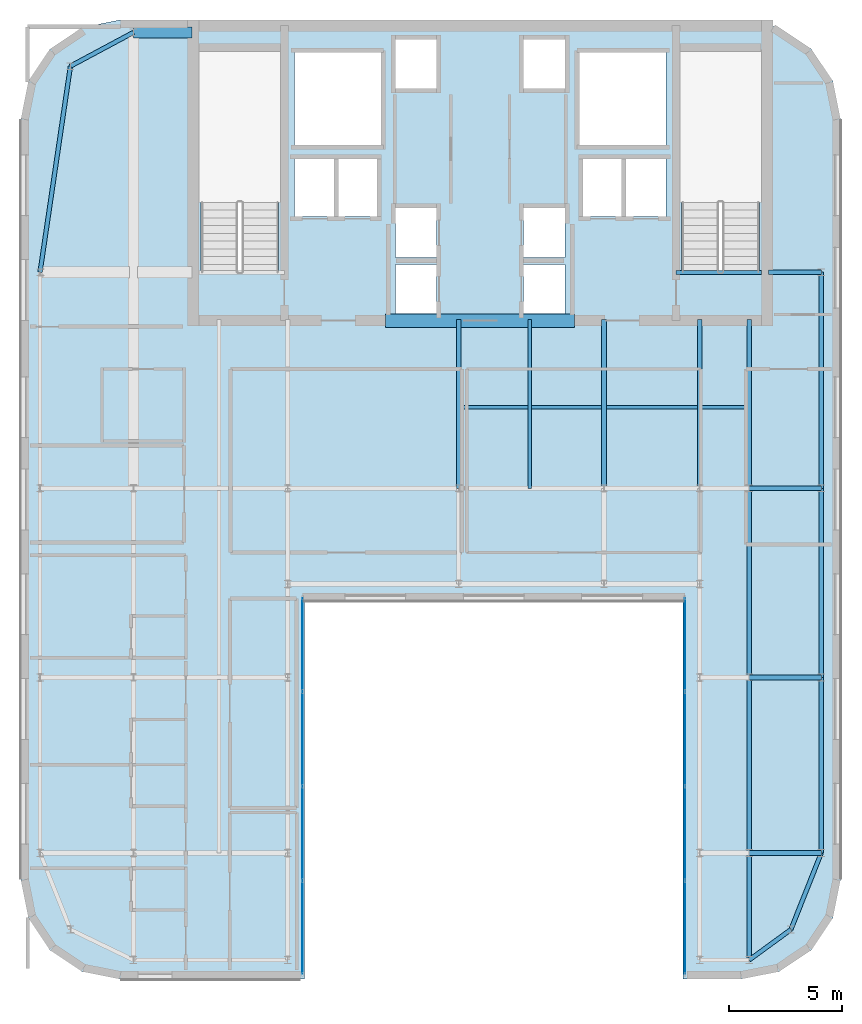
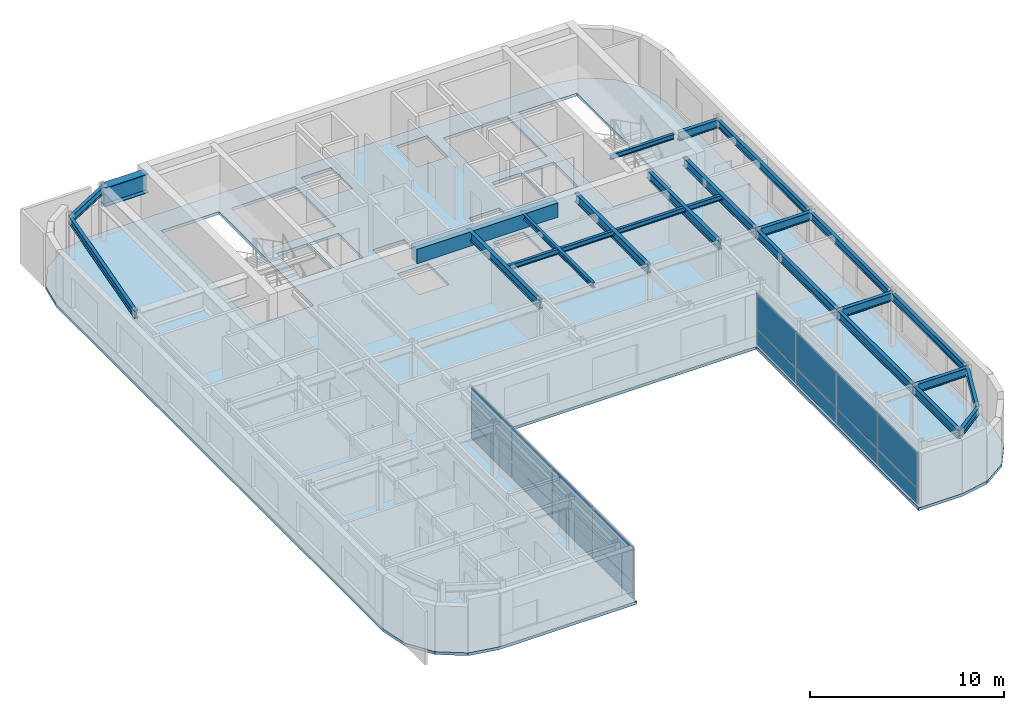
# One storey, part 12 of 20: 23 beams, 16 plates, 1 slab, 2 elements without a shape of their own.
"""IFC4 building model written with IfcOpenShell, lengths in metres."""

from ifc_helpers import new_model, si_unit, direction, frame, origin, origin_2d, place, context, subcontext, project, spatial, polyline, rectangle, i_section, outline, extrude, source, transform, mapped, material, layer, layer_set, material_profile, profile_set, type_object, type_shapes, element, aggregate, save


model = new_model("IFC4")

# Units and contexts
model_context = context("Model", 3, precision=1e-05, world=origin(), true_north=direction((0.0, 1.0)))
body_context = subcontext(model_context, "Body", "Model", "MODEL_VIEW")
ifc_project = project(units=[si_unit("LENGTHUNIT", "METRE"), si_unit("AREAUNIT", "SQUARE_METRE"), si_unit("VOLUMEUNIT", "CUBIC_METRE"), si_unit("PLANEANGLEUNIT", "RADIAN"), si_unit("MASSUNIT", "GRAM", prefix="KILO")], contexts=[model_context])

# Site, building, storey
site_placement = place(None, origin())
site = spatial("IfcSite", under=ifc_project, at=site_placement, CompositionType="ELEMENT")
building_placement = place(site_placement, origin())
building = spatial("IfcBuilding", under=site, at=building_placement, Name="Tolvann Quenvar Hotel", CompositionType="ELEMENT")
storey_placement = place(building_placement, frame((0.0, 0.0, 248.75)))
storey = spatial("IfcBuildingStorey", under=building, at=storey_placement, Name="L66", CompositionType="ELEMENT", Elevation=248.75)

# Beams
ifc_material_1 = material(Name="Concrete N50 (50 MPa)", Category="concrete")
ifc_material_profile_1 = material_profile(ifc_material_1, rectangle(XDim=0.60009765625, YDim=0.89990234375, at=origin_2d()), Name="RC600x900")
ifc_profile_set_1 = profile_set([ifc_material_profile_1], Name="Concrete N50 (50 MPa)")
beam_type_1 = type_object("IfcBeamType", Name="BM_LINT_RC600x900", PredefinedType="LINTEL", material=ifc_profile_set_1)
shared_shape_1 = source(origin(), body_context, "Body", "SweptSolid", [
    extrude(rectangle(XDim=0.60009765625, YDim=0.89990234375, at=origin_2d()), origin(), (0.0, 0.0, 1.0), 8.39990234375),
])
type_shapes(beam_type_1, [shared_shape_1])
beam_1_placement = place(storey_placement, frame((18.800048828125, 31.85009765625, 2.919921875), z_axis=(1.0, 0.0, 0.0), x_axis=(0.0, 1.0, 0.0)))
element("IfcBeam", 1, at=beam_1_placement, inside=storey, type_object=beam_type_1, Name="Core Coupling Lintel Beam (L66)", PredefinedType="LINTEL", context=body_context, shape_type="MappedRepresentation", body=[
    mapped(shared_shape_1, transform((0.0, 0.0, 0.0), x_axis=(1.0, 0.0, 0.0), y_axis=(0.0, 1.0, 0.0), z_axis=(0.0, 0.0, 1.0), scale=1.0)),
])
ifc_material_2 = material(Name="Steel Grade 350", Category="steel")
ifc_material_profile_2 = material_profile(ifc_material_2, i_section(OverallWidth=0.208984375, OverallDepth=0.532958984375, WebThickness=0.01025390625, FlangeThickness=0.015625, FilletRadius=0.013916015625, at=origin_2d()), Name="530UB92")
ifc_profile_set_2 = profile_set([ifc_material_profile_2], Name="Steel Grade 350")
beam_type_2 = type_object("IfcBeamType", Name="BM_GIRD_530UB92", PredefinedType="BEAM", material=ifc_profile_set_2)
shared_shape_2 = source(origin(), body_context, "Body", "SweptSolid", [
    extrude(i_section(OverallWidth=0.208984375, OverallDepth=0.532958984375, WebThickness=0.01025390625, FlangeThickness=0.015625, FilletRadius=0.013916015625, at=origin_2d()), origin(), (0.0, 0.0, 1.0), 7.800048828125),
])
beam_2_placement = place(storey_placement, frame((34.949951171875, 8.199951171875, 3.103515625), z_axis=(0.0, 1.0, 0.0), x_axis=(-1.0, 0.0, 0.0)))
element("IfcBeam", 2, at=beam_2_placement, inside=storey, type_object=beam_type_2, Name="BM-L66-NS-F3-F4", PredefinedType="BEAM", context=body_context, shape_type="MappedRepresentation", body=[
    mapped(shared_shape_2, transform((0.0, 0.0, 0.0), x_axis=(1.0, 0.0, 0.0), y_axis=(0.0, 1.0, 0.0), z_axis=(0.0, 0.0, 1.0), scale=1.0)),
])
shared_shape_3 = source(origin(), body_context, "Body", "SweptSolid", [
    extrude(i_section(OverallWidth=0.208984375, OverallDepth=0.532958984375, WebThickness=0.01025390625, FlangeThickness=0.015625, FilletRadius=0.013916015625, at=origin_2d()), origin(), (0.0, 0.0, 1.0), 8.39990234375),
])
beam_3_placement = place(storey_placement, frame((34.949951171875, 16.0, 3.103515625), z_axis=(0.0, 1.0, 0.0), x_axis=(-1.0, 0.0, 0.0)))
element("IfcBeam", 3, at=beam_3_placement, inside=storey, type_object=beam_type_2, Name="BM-L66-NS-F4-F5", PredefinedType="BEAM", context=body_context, shape_type="MappedRepresentation", body=[
    mapped(shared_shape_3, transform((0.0, 0.0, 0.0), x_axis=(1.0, 0.0, 0.0), y_axis=(0.0, 1.0, 0.0), z_axis=(0.0, 0.0, 1.0), scale=1.0)),
])
ifc_material_profile_3 = material_profile(ifc_material_2, i_section(OverallWidth=0.5, OverallDepth=1.199951171875, WebThickness=0.01611328125, FlangeThickness=0.0400390625, at=origin_2d()), Name="1200WB455")
ifc_profile_set_3 = profile_set([ifc_material_profile_3], Name="Steel Grade 350")
beam_type_3 = type_object("IfcBeamType", Name="BM_TG_1200WB455", PredefinedType="USERDEFINED", material=ifc_profile_set_3)
shared_shape_4 = source(origin(), body_context, "Body", "SweptSolid", [
    extrude(i_section(OverallWidth=0.5, OverallDepth=1.199951171875, WebThickness=0.01611328125, FlangeThickness=0.0400390625, at=origin_2d()), origin(), (0.0, 0.0, 1.0), 2.599853515625),
])
type_shapes(beam_type_3, [shared_shape_4])
beam_4_placement = place(storey_placement, frame((7.60009765625, 44.64990234375, 2.77001953125), z_axis=(1.0, 0.0, 0.0), x_axis=(0.0, 1.0, 0.0)))
element("IfcBeam", 4, at=beam_4_placement, inside=storey, type_object=beam_type_3, Name="BM-L66-CTW-CN", ObjectType="TRANSFER GIRDER", PredefinedType="USERDEFINED", context=body_context, shape_type="MappedRepresentation", body=[
    mapped(shared_shape_4, transform((0.0, 0.0, 0.0), x_axis=(1.0, 0.0, 0.0), y_axis=(0.0, 1.0, 0.0), z_axis=(0.0, 0.0, 1.0), scale=1.0)),
])
ifc_material_profile_4 = material_profile(ifc_material_2, i_section(OverallWidth=0.166015625, OverallDepth=0.306884765625, WebThickness=0.006591796875, FlangeThickness=0.01171875, FilletRadius=0.011474609375, at=origin_2d()), Name="310UB46")
ifc_profile_set_4 = profile_set([ifc_material_profile_4], Name="Steel Grade 350")
beam_type_4 = type_object("IfcBeamType", Name="BM_JOIST_310UB46", PredefinedType="JOIST", material=ifc_profile_set_4)
shared_shape_5 = source(origin(), body_context, "Body", "SweptSolid", [
    extrude(i_section(OverallWidth=0.166015625, OverallDepth=0.306884765625, WebThickness=0.006591796875, FlangeThickness=0.01171875, FilletRadius=0.011474609375, at=origin_2d()), origin(), (0.0, 0.0, 1.0), 3.800048828125),
])
beam_5_placement = place(storey_placement, frame((31.699951171875, 33.97998046875, 3.216552734375), z_axis=(1.0, 0.0, 0.0), x_axis=(0.0, 1.0, 0.0)))
element("IfcBeam", 5, at=beam_5_placement, inside=storey, type_object=beam_type_4, Name="BM-HDR-STC2-L67", PredefinedType="JOIST", context=body_context, shape_type="MappedRepresentation", body=[
    mapped(shared_shape_5, transform((0.0, 0.0, 0.0), x_axis=(1.0, 0.0, 0.0), y_axis=(0.0, 1.0, 0.0), z_axis=(0.0, 0.0, 1.0), scale=1.0)),
])
shared_shape_6 = source(origin(), body_context, "Body", "SweptSolid", [
    extrude(i_section(OverallWidth=0.208984375, OverallDepth=0.532958984375, WebThickness=0.01025390625, FlangeThickness=0.015625, FilletRadius=0.013916015625, at=origin_2d()), origin(), (0.0, 0.0, 1.0), 4.75),
])
beam_6_placement = place(storey_placement, frame((34.949951171875, 3.449951171875, 3.103515625), z_axis=(0.0, 1.0, 0.0), x_axis=(-1.0, 0.0, 0.0)))
element("IfcBeam", 6, at=beam_6_placement, inside=storey, type_object=beam_type_2, Name="BM-L66-NS-F2-F3", PredefinedType="BEAM", context=body_context, shape_type="MappedRepresentation", body=[
    mapped(shared_shape_6, transform((0.0, 0.0, 0.0), x_axis=(1.0, 0.0, 0.0), y_axis=(0.0, 1.0, 0.0), z_axis=(0.0, 0.0, 1.0), scale=1.0)),
])
ifc_material_profile_5 = material_profile(ifc_material_2, i_section(OverallWidth=0.19091796875, OverallDepth=0.4599609375, WebThickness=0.010009765625, FlangeThickness=0.01611328125, FilletRadius=0.011474609375, at=origin_2d()), Name="460UB82")
ifc_profile_set_5 = profile_set([ifc_material_profile_5], Name="Steel Grade 350")
beam_type_5 = type_object("IfcBeamType", Name="BM_SPAND_460UB82", PredefinedType="SPANDREL", material=ifc_profile_set_5)
shared_shape_7 = source(origin(), body_context, "Body", "SweptSolid", [
    extrude(i_section(OverallWidth=0.19091796875, OverallDepth=0.4599609375, WebThickness=0.010009765625, FlangeThickness=0.01611328125, FilletRadius=0.011474609375, at=origin_2d()), origin(), (0.0, 0.0, 1.0), 7.800048828125),
])
beam_7_placement = place(storey_placement, frame((38.14990234375, 8.199951171875, 3.139892578125), z_axis=(0.0, 1.0, 0.0), x_axis=(-1.0, 0.0, 0.0)))
element("IfcBeam", 7, at=beam_7_placement, inside=storey, type_object=beam_type_5, Name="BM-L66-NS-G3-G4", PredefinedType="SPANDREL", context=body_context, shape_type="MappedRepresentation", body=[
    mapped(shared_shape_7, transform((0.0, 0.0, 0.0), x_axis=(1.0, 0.0, 0.0), y_axis=(0.0, 1.0, 0.0), z_axis=(0.0, 0.0, 1.0), scale=1.0)),
])
shared_shape_8 = source(origin(), body_context, "Body", "SweptSolid", [
    extrude(i_section(OverallWidth=0.19091796875, OverallDepth=0.4599609375, WebThickness=0.010009765625, FlangeThickness=0.01611328125, FilletRadius=0.011474609375, at=origin_2d()), origin(), (0.0, 0.0, 1.0), 8.39990234375),
])
beam_8_placement = place(storey_placement, frame((38.14990234375, 16.0, 3.139892578125), z_axis=(0.0, 1.0, 0.0), x_axis=(-1.0, 0.0, 0.0)))
element("IfcBeam", 8, at=beam_8_placement, inside=storey, type_object=beam_type_5, Name="BM-L66-NS-G4-G5", PredefinedType="SPANDREL", context=body_context, shape_type="MappedRepresentation", body=[
    mapped(shared_shape_8, transform((0.0, 0.0, 0.0), x_axis=(1.0, 0.0, 0.0), y_axis=(0.0, 1.0, 0.0), z_axis=(0.0, 0.0, 1.0), scale=1.0)),
])
shared_shape_9 = source(origin(), body_context, "Body", "SweptSolid", [
    extrude(i_section(OverallWidth=0.19091796875, OverallDepth=0.4599609375, WebThickness=0.010009765625, FlangeThickness=0.01611328125, FilletRadius=0.011474609375, at=origin_2d()), origin(), (0.0, 0.0, 1.0), 3.657958984375),
])
beam_9_placement = place(storey_placement, frame((36.800048828125, 4.800048828125, 3.139892578125), z_axis=(0.369007513371, 0.929426411867, 0.0), x_axis=(-0.929426411867, 0.369007513371, 0.0)))
element("IfcBeam", 9, at=beam_9_placement, inside=storey, type_object=beam_type_5, Name="BM-L66-NS-G2-G3", PredefinedType="SPANDREL", context=body_context, shape_type="MappedRepresentation", body=[
    mapped(shared_shape_9, transform((0.0, 0.0, 0.0), x_axis=(1.0, 0.0, 0.0), y_axis=(0.0, 1.0, 0.0), z_axis=(0.0, 0.0, 1.0), scale=1.0)),
])
shared_shape_10 = source(origin(), body_context, "Body", "SweptSolid", [
    extrude(i_section(OverallWidth=0.19091796875, OverallDepth=0.4599609375, WebThickness=0.010009765625, FlangeThickness=0.01611328125, FilletRadius=0.011474609375, at=origin_2d()), origin(), (0.0, 0.0, 1.0), 9.60009765625),
])
beam_10_placement = place(storey_placement, frame((38.14990234375, 24.39990234375, 3.139892578125), z_axis=(0.0, 1.0, 0.0), x_axis=(-1.0, 0.0, 0.0)))
element("IfcBeam", 10, at=beam_10_placement, inside=storey, type_object=beam_type_5, Name="BM-L66-FLK-G1", PredefinedType="SPANDREL", context=body_context, shape_type="MappedRepresentation", body=[
    mapped(shared_shape_10, transform((0.0, 0.0, 0.0), x_axis=(1.0, 0.0, 0.0), y_axis=(0.0, 1.0, 0.0), z_axis=(0.0, 0.0, 1.0), scale=1.0)),
])
shared_shape_11 = source(origin(), body_context, "Body", "SweptSolid", [
    extrude(i_section(OverallWidth=0.19091796875, OverallDepth=0.4599609375, WebThickness=0.010009765625, FlangeThickness=0.01611328125, FilletRadius=0.011474609375, at=origin_2d()), origin(), (0.0, 0.0, 1.0), 9.2490234375),
])
beam_11_placement = place(storey_placement, frame((3.449951171875, 34.0, 3.139892578125), z_axis=(0.145972731602, 0.989288613918, 0.0), x_axis=(-0.989288613918, 0.145972731602, 0.0)))
element("IfcBeam", 11, at=beam_11_placement, inside=storey, type_object=beam_type_5, Name="BM-L66-FLK-W2", PredefinedType="SPANDREL", context=body_context, shape_type="MappedRepresentation", body=[
    mapped(shared_shape_11, transform((0.0, 0.0, 0.0), x_axis=(1.0, 0.0, 0.0), y_axis=(0.0, 1.0, 0.0), z_axis=(0.0, 0.0, 1.0), scale=1.0)),
])
shared_shape_12 = source(origin(), body_context, "Body", "SweptSolid", [
    extrude(i_section(OverallWidth=0.19091796875, OverallDepth=0.4599609375, WebThickness=0.010009765625, FlangeThickness=0.01611328125, FilletRadius=0.011474609375, at=origin_2d()), origin(), (0.0, 0.0, 1.0), 3.176513671875),
])
beam_12_placement = place(storey_placement, frame((4.800048828125, 43.14990234375, 3.139892578125), z_axis=(0.881483397762, 0.472215014025, 0.0), x_axis=(-0.472215014025, 0.881483397762, 0.0)))
element("IfcBeam", 12, at=beam_12_placement, inside=storey, type_object=beam_type_5, Name="BM-L66-FLK-W3", PredefinedType="SPANDREL", context=body_context, shape_type="MappedRepresentation", body=[
    mapped(shared_shape_12, transform((0.0, 0.0, 0.0), x_axis=(1.0, 0.0, 0.0), y_axis=(0.0, 1.0, 0.0), z_axis=(0.0, 0.0, 1.0), scale=1.0)),
])
shared_shape_13 = source(origin(), body_context, "Body", "SweptSolid", [
    extrude(i_section(OverallWidth=0.166015625, OverallDepth=0.306884765625, WebThickness=0.006591796875, FlangeThickness=0.01171875, FilletRadius=0.011474609375, at=origin_2d()), origin(), (0.0, 0.0, 1.0), 12.89990234375),
])
beam_13_placement = place(storey_placement, frame((22.050048828125, 28.0, 3.216552734375), z_axis=(1.0, 0.0, 0.0), x_axis=(0.0, 1.0, 0.0)))
element("IfcBeam", 13, at=beam_13_placement, inside=storey, type_object=beam_type_4, Name="BM-L66-SPINE-28", PredefinedType="JOIST", context=body_context, shape_type="MappedRepresentation", body=[
    mapped(shared_shape_13, transform((0.0, 0.0, 0.0), x_axis=(1.0, 0.0, 0.0), y_axis=(0.0, 1.0, 0.0), z_axis=(0.0, 0.0, 1.0), scale=1.0)),
])
shared_shape_14 = source(origin(), body_context, "Body", "SweptSolid", [
    extrude(i_section(OverallWidth=0.166015625, OverallDepth=0.306884765625, WebThickness=0.006591796875, FlangeThickness=0.01171875, FilletRadius=0.011474609375, at=origin_2d()), origin(), (0.0, 0.0, 1.0), 7.5),
])
type_shapes(beam_type_4, [shared_shape_5, shared_shape_13, shared_shape_14])
beam_14_placement = place(storey_placement, frame((25.199951171875, 24.39990234375, 3.216552734375), z_axis=(0.0, 1.0, 0.0), x_axis=(-1.0, 0.0, 0.0)))
element("IfcBeam", 14, at=beam_14_placement, inside=storey, type_object=beam_type_4, Name="BJ-L66-252-244", PredefinedType="JOIST", context=body_context, shape_type="MappedRepresentation", body=[
    mapped(shared_shape_14, transform((0.0, 0.0, 0.0), x_axis=(1.0, 0.0, 0.0), y_axis=(0.0, 1.0, 0.0), z_axis=(0.0, 0.0, 1.0), scale=1.0)),
])
shared_shape_15 = source(origin(), body_context, "Body", "SweptSolid", [
    extrude(i_section(OverallWidth=0.19091796875, OverallDepth=0.4599609375, WebThickness=0.010009765625, FlangeThickness=0.01611328125, FilletRadius=0.011474609375, at=origin_2d()), origin(), (0.0, 0.0, 1.0), 2.290283203125),
])
type_shapes(beam_type_5, [shared_shape_7, shared_shape_8, shared_shape_9, shared_shape_10, shared_shape_11, shared_shape_12, shared_shape_15])
beam_15_placement = place(storey_placement, frame((34.949951171875, 3.449951171875, 3.139892578125), z_axis=(0.807785460512, 0.589476589684, 0.0), x_axis=(-0.589476589684, 0.807785460512, 0.0)))
element("IfcBeam", 15, at=beam_15_placement, inside=storey, type_object=beam_type_5, Name="BM-L66-EW-2-F2-G2", PredefinedType="SPANDREL", context=body_context, shape_type="MappedRepresentation", body=[
    mapped(shared_shape_15, transform((0.0, 0.0, 0.0), x_axis=(1.0, 0.0, 0.0), y_axis=(0.0, 1.0, 0.0), z_axis=(0.0, 0.0, 1.0), scale=1.0)),
])
shared_shape_16 = source(origin(), body_context, "Body", "SweptSolid", [
    extrude(i_section(OverallWidth=0.208984375, OverallDepth=0.532958984375, WebThickness=0.01025390625, FlangeThickness=0.015625, FilletRadius=0.013916015625, at=origin_2d()), origin(), (0.0, 0.0, 1.0), 3.199951171875),
])
for number, where, z_axis, x_axis, name in (
    (16, (34.949951171875, 8.199951171875, 3.103515625), (1.0, 0.0, 0.0), (0.0, 1.0, 0.0), "BM-L66-EW-3-F3-G3"),
    (17, (34.949951171875, 16.0, 3.103515625), (1.0, 0.0, 0.0), (0.0, 1.0, 0.0), "BM-L66-EW-4-F4-G4"),
    (18, (34.949951171875, 24.39990234375, 3.103515625), (1.0, 0.0, 0.0), (0.0, 1.0, 0.0), "BM-L66-EW-5-F5-G5"),
):
    element("IfcBeam", number, at=place(storey_placement, frame(where, z_axis=z_axis, x_axis=x_axis)), inside=storey, type_object=beam_type_2, Name=name, PredefinedType="BEAM", context=body_context, shape_type="MappedRepresentation", body=[
        mapped(shared_shape_16, transform((0.0, 0.0, 0.0), x_axis=(1.0, 0.0, 0.0), y_axis=(0.0, 1.0, 0.0), z_axis=(0.0, 0.0, 1.0), scale=1.0)),
    ])
shared_shape_17 = source(origin(), body_context, "Body", "SweptSolid", [
    extrude(i_section(OverallWidth=0.208984375, OverallDepth=0.532958984375, WebThickness=0.01025390625, FlangeThickness=0.015625, FilletRadius=0.013916015625, at=origin_2d()), origin(), (0.0, 0.0, 1.0), 7.5),
])
for number, where, z_axis, x_axis, name in (
    (19, (22.050048828125, 24.39990234375, 3.103515625), (0.0, 1.0, 0.0), (-1.0, 0.0, 0.0), "BM-L66-CORE-E5"),
    (20, (34.949951171875, 24.39990234375, 3.103515625), (0.0, 1.0, 0.0), (-1.0, 0.0, 0.0), "BM-L66-CORE-F5"),
    (21, (32.75, 24.39990234375, 3.103515625), (0.0, 1.0, 0.0), (-1.0, 0.0, 0.0), "BM-L66-CORE-FP5"),
    (22, (28.5, 24.39990234375, 3.103515625), (0.0, 1.0, 0.0), (-1.0, 0.0, 0.0), "BM-L66-CORE-M5"),
):
    element("IfcBeam", number, at=place(storey_placement, frame(where, z_axis=z_axis, x_axis=x_axis)), inside=storey, type_object=beam_type_2, Name=name, PredefinedType="BEAM", context=body_context, shape_type="MappedRepresentation", body=[
        mapped(shared_shape_17, transform((0.0, 0.0, 0.0), x_axis=(1.0, 0.0, 0.0), y_axis=(0.0, 1.0, 0.0), z_axis=(0.0, 0.0, 1.0), scale=1.0)),
    ])
shared_shape_18 = source(origin(), body_context, "Body", "SweptSolid", [
    extrude(i_section(OverallWidth=0.208984375, OverallDepth=0.532958984375, WebThickness=0.01025390625, FlangeThickness=0.015625, FilletRadius=0.013916015625, at=origin_2d()), origin(), (0.0, 0.0, 1.0), 2.349853515625),
])
type_shapes(beam_type_2, [shared_shape_2, shared_shape_3, shared_shape_6, shared_shape_16, shared_shape_17, shared_shape_18])
beam_16_placement = place(storey_placement, frame((35.800048828125, 34.0, 3.103515625), z_axis=(1.0, 0.0, 0.0), x_axis=(0.0, 1.0, 0.0)))
element("IfcBeam", 23, at=beam_16_placement, inside=storey, type_object=beam_type_2, Name="BM-L66-CTE-GD6", PredefinedType="BEAM", context=body_context, shape_type="MappedRepresentation", body=[
    mapped(shared_shape_18, transform((0.0, 0.0, 0.0), x_axis=(1.0, 0.0, 0.0), y_axis=(0.0, 1.0, 0.0), z_axis=(0.0, 0.0, 1.0), scale=1.0)),
])

# Slab
ifc_material_3 = material(Name="Concrete N40 (40 MPa)", Category="concrete")
ifc_layer_1 = layer(ifc_material_3, 0.179931640625)
ifc_layer_set_1 = layer_set([ifc_layer_1], Name="Concrete N40 (40 MPa)")
slab_type = type_object("IfcSlabType", Name="SLAB_TWR_180", PredefinedType="FLOOR", material=ifc_layer_set_1)
slab_placement = place(storey_placement, frame((0.0, 0.0, -0.179931640625)))
element("IfcSlab", 24, at=slab_placement, inside=storey, type_object=slab_type, Name="Level L66 Structural Floor Slab", PredefinedType="FLOOR", context=body_context, shape_type="SweptSolid", body=[
    extrude(outline(polyline([(2.60009765625, 7.0), (2.934814453125, 5.316162109375), (3.888671875, 3.888671875), (5.316162109375, 2.934814453125), (7.0, 2.60009765625), (15.199951171875, 2.60009765625), (15.199951171875, 19.39990234375), (32.0, 19.39990234375), (32.0, 2.60009765625), (34.60009765625, 2.60009765625), (36.28369140625, 2.934814453125), (37.711181640625, 3.888671875), (38.6650390625, 5.316162109375), (39.0, 7.0), (39.0, 40.800048828125), (38.6650390625, 42.48388671875), (37.711181640625, 43.911376953125), (36.28369140625, 44.864990234375), (34.60009765625, 45.199951171875), (7.0, 45.199951171875), (5.316162109375, 44.864990234375), (3.888671875, 43.911376953125), (2.934814453125, 42.48388671875), (2.60009765625, 40.800048828125), (2.60009765625, 7.0)]), holes=[polyline([(31.949951171875, 34.02490234375), (31.949951171875, 43.800048828125), (35.39990234375, 43.800048828125), (35.39990234375, 34.02490234375), (31.949951171875, 34.02490234375)]), polyline([(27.39990234375, 43.75), (31.25, 43.75), (31.25, 39.64990234375), (27.39990234375, 39.64990234375), (27.39990234375, 43.75)]), polyline([(29.449951171875, 39.02001953125), (31.25, 39.02001953125), (31.25, 36.47998046875), (29.449951171875, 36.47998046875), (29.449951171875, 39.02001953125)]), polyline([(27.574951171875, 39.02001953125), (29.324951171875, 39.02001953125), (29.324951171875, 36.47998046875), (27.574951171875, 36.47998046875), (27.574951171875, 39.02001953125)]), polyline([(24.929931640625, 36.840087890625), (26.77001953125, 36.840087890625), (26.77001953125, 34.659912109375), (24.929931640625, 34.659912109375), (24.929931640625, 36.840087890625)]), polyline([(24.929931640625, 44.340087890625), (26.77001953125, 44.340087890625), (26.77001953125, 42.159912109375), (24.929931640625, 42.159912109375), (24.929931640625, 44.340087890625)]), polyline([(24.929931640625, 32.159912109375), (24.929931640625, 34.340087890625), (26.77001953125, 34.340087890625), (26.77001953125, 32.159912109375), (24.929931640625, 32.159912109375)]), polyline([(19.22998046875, 36.840087890625), (21.070068359375, 36.840087890625), (21.070068359375, 34.659912109375), (19.22998046875, 34.659912109375), (19.22998046875, 36.840087890625)]), polyline([(19.22998046875, 44.340087890625), (21.070068359375, 44.340087890625), (21.070068359375, 42.159912109375), (19.22998046875, 42.159912109375), (19.22998046875, 44.340087890625)]), polyline([(19.22998046875, 32.159912109375), (19.22998046875, 34.340087890625), (21.070068359375, 34.340087890625), (21.070068359375, 32.159912109375), (19.22998046875, 32.159912109375)]), polyline([(14.75, 43.75), (18.60009765625, 43.75), (18.60009765625, 39.64990234375), (14.75, 39.64990234375), (14.75, 43.75)]), polyline([(16.675048828125, 39.02001953125), (18.425048828125, 39.02001953125), (18.425048828125, 36.47998046875), (16.675048828125, 36.47998046875), (16.675048828125, 39.02001953125)]), polyline([(14.75, 39.02001953125), (16.550048828125, 39.02001953125), (16.550048828125, 36.47998046875), (14.75, 36.47998046875), (14.75, 39.02001953125)]), polyline([(10.60009765625, 34.02490234375), (10.60009765625, 43.800048828125), (14.050048828125, 43.800048828125), (14.050048828125, 34.02490234375), (10.60009765625, 34.02490234375)])]), origin(), (0.0, 0.0, 1.0), 0.179931640625),
])

# Curtain wall, plates
ifc_material_4 = material(Name="Thermally broken anodised architectural aluminium 6063-T6 and laminated low-E glass", Category="aluminium")
ifc_layer_2 = layer(ifc_material_4, 0.179931640625)
ifc_layer_set_2 = layer_set([ifc_layer_2], Name="Thermally broken anodised architectural aluminium 6063-T6 and laminated low-E glass")
curtain_wall_type = type_object("IfcCurtainWallType", Name="CW_SYS_PORTAL_05", PredefinedType="USERDEFINED", material=ifc_layer_set_2)
curtain_wall_1_placement = place(storey_placement, origin())
curtain_wall_1 = element("IfcCurtainWall", 25, at=curtain_wall_1_placement, inside=storey, type_object=curtain_wall_type, Name="Curtain Wall CW-PORTAL-05 (CWR-L66-E05)", ObjectType="UNITISED CURTAIN WALL", PredefinedType="USERDEFINED")
ifc_material_5 = material(Name="Low-iron laminated double glazing with solar-control coating", Category="glass")
ifc_layer_3 = layer(ifc_material_5, 0.028076171875)
ifc_layer_set_3 = layer_set([ifc_layer_3], Name="Low-iron laminated double glazing with solar-control coating")
plate_type = type_object("IfcPlateType", Name="CW_PAN_VISION_28", PredefinedType="CURTAIN_PANEL", material=ifc_layer_set_3)
shared_shape_19 = source(origin(), body_context, "Body", "SweptSolid", [
    extrude(rectangle(XDim=4.094970703125, YDim=0.028076171875, at=origin_2d()), origin(), (0.0, 0.0, 1.0), 0.9599609375),
])
plate_1_placement = place(storey_placement, frame((15.110107421875, 4.892578125, 0.06005859375), z_axis=(0.0, 0.0, 1.0), x_axis=(0.0, 1.0, 0.0)))
plate_1 = element("IfcPlate", 26, at=plate_1_placement, type_object=plate_type, Name="CW-PORTAL-05 panel 1.1", PredefinedType="CURTAIN_PANEL", context=body_context, shape_type="MappedRepresentation", body=[
    mapped(shared_shape_19, transform((0.0, 0.0, 0.0), x_axis=(1.0, 0.0, 0.0), y_axis=(0.0, 1.0, 0.0), z_axis=(0.0, 0.0, 1.0), scale=1.0)),
])
plate_2_placement = place(storey_placement, frame((15.110107421875, 17.45751953125, 0.06005859375), z_axis=(0.0, 0.0, 1.0), x_axis=(0.0, 1.0, 0.0)))
plate_2 = element("IfcPlate", 27, at=plate_2_placement, type_object=plate_type, Name="CW-PORTAL-05 panel 4.1", PredefinedType="CURTAIN_PANEL", context=body_context, shape_type="MappedRepresentation", body=[
    mapped(shared_shape_19, transform((0.0, 0.0, 0.0), x_axis=(1.0, 0.0, 0.0), y_axis=(0.0, 1.0, 0.0), z_axis=(0.0, 0.0, 1.0), scale=1.0)),
])

curtain_wall_2_placement = place(storey_placement, origin())
curtain_wall_2 = element("IfcCurtainWall", 28, at=curtain_wall_2_placement, inside=storey, type_object=curtain_wall_type, Name="Curtain Wall CW-PORTAL-05 (CWR-L66-E07)", ObjectType="UNITISED CURTAIN WALL", PredefinedType="USERDEFINED")
plate_3_placement = place(storey_placement, frame((32.090087890625, 17.45751953125, 0.06005859375), z_axis=(0.0, 0.0, 1.0), x_axis=(0.0, -1.0, 0.0)))
plate_3 = element("IfcPlate", 29, at=plate_3_placement, type_object=plate_type, Name="CW-PORTAL-05 panel 1.1", PredefinedType="CURTAIN_PANEL", context=body_context, shape_type="MappedRepresentation", body=[
    mapped(shared_shape_19, transform((0.0, 0.0, 0.0), x_axis=(1.0, 0.0, 0.0), y_axis=(0.0, 1.0, 0.0), z_axis=(0.0, 0.0, 1.0), scale=1.0)),
])
plate_4_placement = place(storey_placement, frame((32.090087890625, 4.892578125, 0.06005859375), z_axis=(0.0, 0.0, 1.0), x_axis=(0.0, -1.0, 0.0)))
plate_4 = element("IfcPlate", 30, at=plate_4_placement, type_object=plate_type, Name="CW-PORTAL-05 panel 4.1", PredefinedType="CURTAIN_PANEL", context=body_context, shape_type="MappedRepresentation", body=[
    mapped(shared_shape_19, transform((0.0, 0.0, 0.0), x_axis=(1.0, 0.0, 0.0), y_axis=(0.0, 1.0, 0.0), z_axis=(0.0, 0.0, 1.0), scale=1.0)),
])

# Plate
shared_shape_20 = source(origin(), body_context, "Body", "SweptSolid", [
    extrude(rectangle(XDim=4.094970703125, YDim=0.028076171875, at=origin_2d()), origin(), (0.0, 0.0, 1.0), 2.22998046875),
])
plate_5_placement = place(storey_placement, frame((15.110107421875, 4.892578125, 1.080078125), z_axis=(0.0, 0.0, 1.0), x_axis=(0.0, 1.0, 0.0)))
plate_5 = element("IfcPlate", 31, at=plate_5_placement, type_object=plate_type, Name="CW-PORTAL-05 panel 1.2", PredefinedType="CURTAIN_PANEL", context=body_context, shape_type="MappedRepresentation", body=[
    mapped(shared_shape_20, transform((0.0, 0.0, 0.0), x_axis=(1.0, 0.0, 0.0), y_axis=(0.0, 1.0, 0.0), z_axis=(0.0, 0.0, 1.0), scale=1.0)),
])

plate_6_placement = place(storey_placement, frame((15.110107421875, 17.45751953125, 1.080078125), z_axis=(0.0, 0.0, 1.0), x_axis=(0.0, 1.0, 0.0)))
plate_6 = element("IfcPlate", 32, at=plate_6_placement, type_object=plate_type, Name="CW-PORTAL-05 panel 4.2", PredefinedType="CURTAIN_PANEL", context=body_context, shape_type="MappedRepresentation", body=[
    mapped(shared_shape_20, transform((0.0, 0.0, 0.0), x_axis=(1.0, 0.0, 0.0), y_axis=(0.0, 1.0, 0.0), z_axis=(0.0, 0.0, 1.0), scale=1.0)),
])

plate_7_placement = place(storey_placement, frame((32.090087890625, 17.45751953125, 1.080078125), z_axis=(0.0, 0.0, 1.0), x_axis=(0.0, -1.0, 0.0)))
plate_7 = element("IfcPlate", 33, at=plate_7_placement, type_object=plate_type, Name="CW-PORTAL-05 panel 1.2", PredefinedType="CURTAIN_PANEL", context=body_context, shape_type="MappedRepresentation", body=[
    mapped(shared_shape_20, transform((0.0, 0.0, 0.0), x_axis=(1.0, 0.0, 0.0), y_axis=(0.0, 1.0, 0.0), z_axis=(0.0, 0.0, 1.0), scale=1.0)),
])

plate_8_placement = place(storey_placement, frame((32.090087890625, 4.892578125, 1.080078125), z_axis=(0.0, 0.0, 1.0), x_axis=(0.0, -1.0, 0.0)))
plate_8 = element("IfcPlate", 34, at=plate_8_placement, type_object=plate_type, Name="CW-PORTAL-05 panel 4.2", PredefinedType="CURTAIN_PANEL", context=body_context, shape_type="MappedRepresentation", body=[
    mapped(shared_shape_20, transform((0.0, 0.0, 0.0), x_axis=(1.0, 0.0, 0.0), y_axis=(0.0, 1.0, 0.0), z_axis=(0.0, 0.0, 1.0), scale=1.0)),
])

shared_shape_21 = source(origin(), body_context, "Body", "SweptSolid", [
    extrude(rectangle(XDim=4.1298828125, YDim=0.028076171875, at=origin_2d()), origin(), (0.0, 0.0, 1.0), 0.9599609375),
])
plate_9_placement = place(storey_placement, frame((15.110107421875, 9.074951171875, 0.06005859375), z_axis=(0.0, 0.0, 1.0), x_axis=(0.0, 1.0, 0.0)))
plate_9 = element("IfcPlate", 35, at=plate_9_placement, type_object=plate_type, Name="CW-PORTAL-05 panel 2.1", PredefinedType="CURTAIN_PANEL", context=body_context, shape_type="MappedRepresentation", body=[
    mapped(shared_shape_21, transform((0.0, 0.0, 0.0), x_axis=(1.0, 0.0, 0.0), y_axis=(0.0, 1.0, 0.0), z_axis=(0.0, 0.0, 1.0), scale=1.0)),
])

plate_10_placement = place(storey_placement, frame((15.110107421875, 13.27490234375, 0.06005859375), z_axis=(0.0, 0.0, 1.0), x_axis=(0.0, 1.0, 0.0)))
plate_10 = element("IfcPlate", 36, at=plate_10_placement, type_object=plate_type, Name="CW-PORTAL-05 panel 3.1", PredefinedType="CURTAIN_PANEL", context=body_context, shape_type="MappedRepresentation", body=[
    mapped(shared_shape_21, transform((0.0, 0.0, 0.0), x_axis=(1.0, 0.0, 0.0), y_axis=(0.0, 1.0, 0.0), z_axis=(0.0, 0.0, 1.0), scale=1.0)),
])

plate_11_placement = place(storey_placement, frame((32.090087890625, 13.27490234375, 0.06005859375), z_axis=(0.0, 0.0, 1.0), x_axis=(0.0, -1.0, 0.0)))
plate_11 = element("IfcPlate", 37, at=plate_11_placement, type_object=plate_type, Name="CW-PORTAL-05 panel 2.1", PredefinedType="CURTAIN_PANEL", context=body_context, shape_type="MappedRepresentation", body=[
    mapped(shared_shape_21, transform((0.0, 0.0, 0.0), x_axis=(1.0, 0.0, 0.0), y_axis=(0.0, 1.0, 0.0), z_axis=(0.0, 0.0, 1.0), scale=1.0)),
])

plate_12_placement = place(storey_placement, frame((32.090087890625, 9.074951171875, 0.06005859375), z_axis=(0.0, 0.0, 1.0), x_axis=(0.0, -1.0, 0.0)))
plate_12 = element("IfcPlate", 38, at=plate_12_placement, type_object=plate_type, Name="CW-PORTAL-05 panel 3.1", PredefinedType="CURTAIN_PANEL", context=body_context, shape_type="MappedRepresentation", body=[
    mapped(shared_shape_21, transform((0.0, 0.0, 0.0), x_axis=(1.0, 0.0, 0.0), y_axis=(0.0, 1.0, 0.0), z_axis=(0.0, 0.0, 1.0), scale=1.0)),
])

shared_shape_22 = source(origin(), body_context, "Body", "SweptSolid", [
    extrude(rectangle(XDim=4.1298828125, YDim=0.028076171875, at=origin_2d()), origin(), (0.0, 0.0, 1.0), 2.22998046875),
])
type_shapes(plate_type, [shared_shape_19, shared_shape_20, shared_shape_21, shared_shape_22])
plate_13_placement = place(storey_placement, frame((15.110107421875, 9.074951171875, 1.080078125), z_axis=(0.0, 0.0, 1.0), x_axis=(0.0, 1.0, 0.0)))
plate_13 = element("IfcPlate", 39, at=plate_13_placement, type_object=plate_type, Name="CW-PORTAL-05 panel 2.2", PredefinedType="CURTAIN_PANEL", context=body_context, shape_type="MappedRepresentation", body=[
    mapped(shared_shape_22, transform((0.0, 0.0, 0.0), x_axis=(1.0, 0.0, 0.0), y_axis=(0.0, 1.0, 0.0), z_axis=(0.0, 0.0, 1.0), scale=1.0)),
])

plate_14_placement = place(storey_placement, frame((15.110107421875, 13.27490234375, 1.080078125), z_axis=(0.0, 0.0, 1.0), x_axis=(0.0, 1.0, 0.0)))
plate_14 = element("IfcPlate", 40, at=plate_14_placement, type_object=plate_type, Name="CW-PORTAL-05 panel 3.2", PredefinedType="CURTAIN_PANEL", context=body_context, shape_type="MappedRepresentation", body=[
    mapped(shared_shape_22, transform((0.0, 0.0, 0.0), x_axis=(1.0, 0.0, 0.0), y_axis=(0.0, 1.0, 0.0), z_axis=(0.0, 0.0, 1.0), scale=1.0)),
])

aggregate(curtain_wall_1, [plate_1, plate_5, plate_9, plate_13, plate_10, plate_14, plate_2, plate_6])

plate_15_placement = place(storey_placement, frame((32.090087890625, 13.27490234375, 1.080078125), z_axis=(0.0, 0.0, 1.0), x_axis=(0.0, -1.0, 0.0)))
plate_15 = element("IfcPlate", 41, at=plate_15_placement, type_object=plate_type, Name="CW-PORTAL-05 panel 2.2", PredefinedType="CURTAIN_PANEL", context=body_context, shape_type="MappedRepresentation", body=[
    mapped(shared_shape_22, transform((0.0, 0.0, 0.0), x_axis=(1.0, 0.0, 0.0), y_axis=(0.0, 1.0, 0.0), z_axis=(0.0, 0.0, 1.0), scale=1.0)),
])

plate_16_placement = place(storey_placement, frame((32.090087890625, 9.074951171875, 1.080078125), z_axis=(0.0, 0.0, 1.0), x_axis=(0.0, -1.0, 0.0)))
plate_16 = element("IfcPlate", 42, at=plate_16_placement, type_object=plate_type, Name="CW-PORTAL-05 panel 3.2", PredefinedType="CURTAIN_PANEL", context=body_context, shape_type="MappedRepresentation", body=[
    mapped(shared_shape_22, transform((0.0, 0.0, 0.0), x_axis=(1.0, 0.0, 0.0), y_axis=(0.0, 1.0, 0.0), z_axis=(0.0, 0.0, 1.0), scale=1.0)),
])

aggregate(curtain_wall_2, [plate_3, plate_7, plate_11, plate_15, plate_12, plate_16, plate_4, plate_8])

save(model, "model.ifc")
